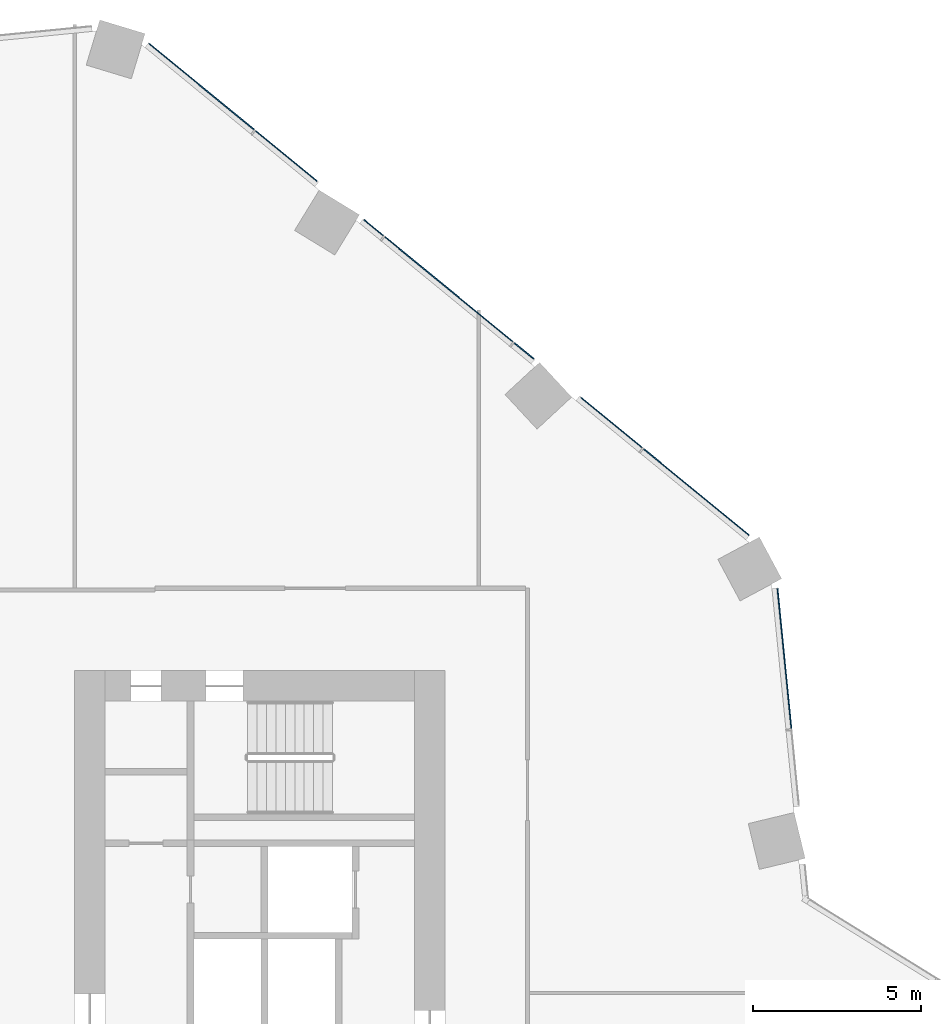
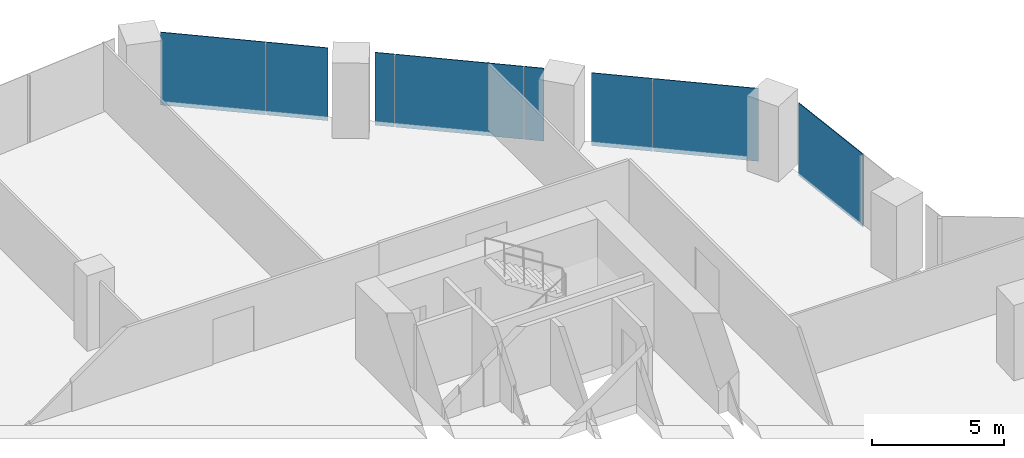
# One storey, part 26 of 34: 8 plates, 2 elements without a shape of their own.
"""IFC4 building model written with IfcOpenShell, lengths in metres."""

from ifc_helpers import new_model, si_unit, direction, frame, origin, origin_2d, place, context, subcontext, project, spatial, rectangle, extrude, material, layer, layer_set, type_object, element, aggregate, save


model = new_model("IFC4")

# Units and contexts
model_context = context("Model", 3, precision=1e-05, world=origin(), true_north=direction((0.0, 1.0)))
body_context = subcontext(model_context, "Body", "Model", "MODEL_VIEW")
ifc_project = project(units=[si_unit("LENGTHUNIT", "METRE"), si_unit("AREAUNIT", "SQUARE_METRE"), si_unit("VOLUMEUNIT", "CUBIC_METRE"), si_unit("PLANEANGLEUNIT", "RADIAN"), si_unit("MASSUNIT", "GRAM", prefix="KILO")], contexts=[model_context])

# Site, building, storey
site_placement = place(None, origin())
site = spatial("IfcSite", under=ifc_project, at=site_placement, CompositionType="ELEMENT")
building_placement = place(site_placement, origin())
building = spatial("IfcBuilding", under=site, at=building_placement, Name="Orlundy Tower", CompositionType="ELEMENT")
storey_placement = place(building_placement, frame((0.0, 0.0, 47.800048828125)))
storey = spatial("IfcBuildingStorey", under=building, at=storey_placement, Name="L10", CompositionType="ELEMENT", Elevation=47.800048828125)

# Curtain wall, plates
ifc_material_1 = material(Name="Aluminium bronze anodised", Category="aluminium")
curtain_wall_type = type_object("IfcCurtainWallType", Name="CW1 wall", PredefinedType="NOTDEFINED", material=ifc_material_1)
curtain_wall_1_placement = place(storey_placement, origin())
curtain_wall_1 = element("IfcCurtainWall", 1, at=curtain_wall_1_placement, inside=storey, type_object=curtain_wall_type, Name="CW1 run 04", PredefinedType="NOTDEFINED")
ifc_material_2 = material(Name="Tinted glass", Category="glass")
ifc_layer = layer(ifc_material_2, 0.031982421875)
ifc_layer_set = layer_set([ifc_layer], Name="CW1 glass panel 32")
plate_type = type_object("IfcPlateType", Name="CW1 glass panel 32", PredefinedType="CURTAIN_PANEL", material=ifc_layer_set)
plate_1_placement = place(storey_placement, frame((11.77001953125, 29.3525390625, -0.300048828125), z_axis=(0.0, 0.0, 1.0), x_axis=(0.773482002143, -0.633818264458, 0.0)))
plate_1 = element("IfcPlate", 2, at=plate_1_placement, type_object=plate_type, Name="CW1 panel", PredefinedType="CURTAIN_PANEL", context=body_context, shape_type="SweptSolid", body=[
    extrude(rectangle(XDim=4.039306640625, YDim=0.031982421875, at=origin_2d()), origin(), (0.0, 0.0, 1.0), 3.3798828125),
])
plate_2_placement = place(storey_placement, frame((14.28271484375, 27.29345703125, -0.300048828125), z_axis=(0.0, 0.0, 1.0), x_axis=(0.773482002143, -0.633818264458, 0.0)))
plate_2 = element("IfcPlate", 3, at=plate_2_placement, type_object=plate_type, Name="CW1 panel", PredefinedType="CURTAIN_PANEL", context=body_context, shape_type="SweptSolid", body=[
    extrude(rectangle(XDim=2.35791015625, YDim=0.031982421875, at=origin_2d()), origin(), (0.0, 0.0, 1.0), 3.3798828125),
])
plate_3_placement = place(storey_placement, frame((16.888427734375, 25.158203125, -0.300048828125), z_axis=(0.0, 0.0, 1.0), x_axis=(0.773482002143, -0.633818264458, 0.0)))
plate_3 = element("IfcPlate", 4, at=plate_3_placement, type_object=plate_type, Name="CW1 panel", PredefinedType="CURTAIN_PANEL", context=body_context, shape_type="SweptSolid", body=[
    extrude(rectangle(XDim=0.74560546875, YDim=0.031982421875, at=origin_2d()), origin(), (0.0, 0.0, 1.0), 3.3798828125),
])
plate_4_placement = place(storey_placement, frame((19.118408203125, 23.330810546875, -0.300048828125), z_axis=(0.0, 0.0, 1.0), x_axis=(0.773482002143, -0.633818264458, 0.0)))
plate_4 = element("IfcPlate", 5, at=plate_4_placement, type_object=plate_type, Name="CW1 panel", PredefinedType="CURTAIN_PANEL", context=body_context, shape_type="SweptSolid", body=[
    extrude(rectangle(XDim=4.92041015625, YDim=0.031982421875, at=origin_2d()), origin(), (0.0, 0.0, 1.0), 3.3798828125),
])
plate_5_placement = place(storey_placement, frame((21.3486328125, 21.50341796875, -0.300048828125), z_axis=(0.0, 0.0, 1.0), x_axis=(0.773482002143, -0.633818264458, 0.0)))
plate_5 = element("IfcPlate", 6, at=plate_5_placement, type_object=plate_type, Name="CW1 panel", PredefinedType="CURTAIN_PANEL", context=body_context, shape_type="SweptSolid", body=[
    extrude(rectangle(XDim=0.74609375, YDim=0.031982421875, at=origin_2d()), origin(), (0.0, 0.0, 1.0), 3.3798828125),
])
plate_6_placement = place(storey_placement, frame((23.954345703125, 19.3681640625, -0.300048828125), z_axis=(0.0, 0.0, 1.0), x_axis=(0.773482002143, -0.633818264458, 0.0)))
plate_6 = element("IfcPlate", 7, at=plate_6_placement, type_object=plate_type, Name="CW1 panel", PredefinedType="CURTAIN_PANEL", context=body_context, shape_type="SweptSolid", body=[
    extrude(rectangle(XDim=2.357421875, YDim=0.031982421875, at=origin_2d()), origin(), (0.0, 0.0, 1.0), 3.3798828125),
])
plate_7_placement = place(storey_placement, frame((26.467041015625, 17.30908203125, -0.300048828125), z_axis=(0.0, 0.0, 1.0), x_axis=(0.773482002143, -0.633818264458, 0.0)))
plate_7 = element("IfcPlate", 8, at=plate_7_placement, type_object=plate_type, Name="CW1 panel", PredefinedType="CURTAIN_PANEL", context=body_context, shape_type="SweptSolid", body=[
    extrude(rectangle(XDim=4.0400390625, YDim=0.031982421875, at=origin_2d()), origin(), (0.0, 0.0, 1.0), 3.3798828125),
])
aggregate(curtain_wall_1, [plate_1, plate_2, plate_3, plate_4, plate_5, plate_6, plate_7])

# Curtain wall, plate
curtain_wall_2_placement = place(storey_placement, origin())
curtain_wall_2 = element("IfcCurtainWall", 9, at=curtain_wall_2_placement, inside=storey, type_object=curtain_wall_type, Name="CW1 run 05", PredefinedType="NOTDEFINED")
plate_8_placement = place(storey_placement, frame((29.08544921875, 12.358642578125, -0.300048828125), z_axis=(0.0, 0.0, 1.0), x_axis=(0.098758968204, -0.995111383815, 0.0)))
plate_8 = element("IfcPlate", 10, at=plate_8_placement, type_object=plate_type, Name="CW1 panel", PredefinedType="CURTAIN_PANEL", context=body_context, shape_type="SweptSolid", body=[
    extrude(rectangle(XDim=4.1865234375, YDim=0.031982421875, at=origin_2d()), origin(), (0.0, 0.0, 1.0), 3.3798828125),
])
aggregate(curtain_wall_2, [plate_8])

save(model, "model.ifc")
